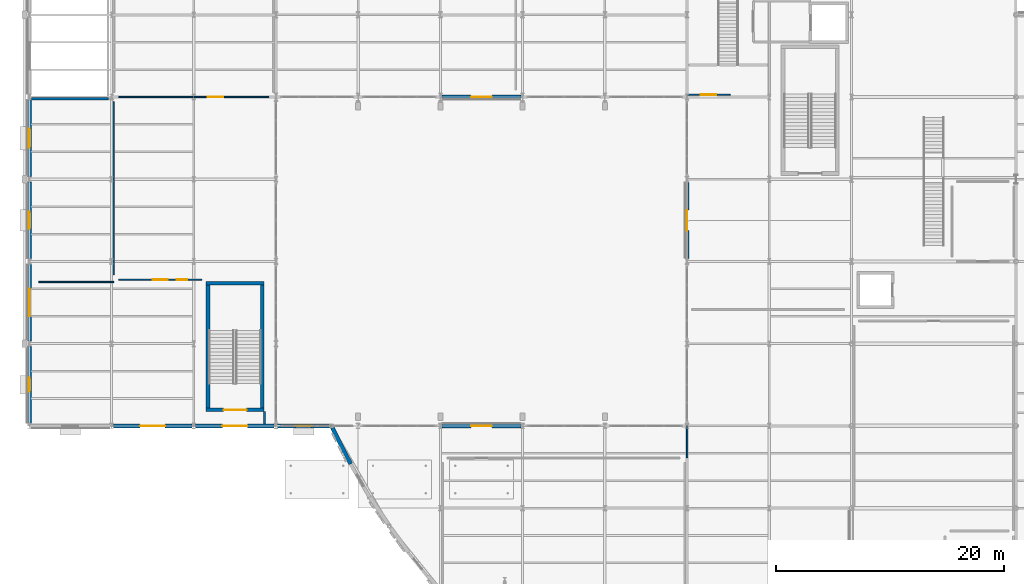
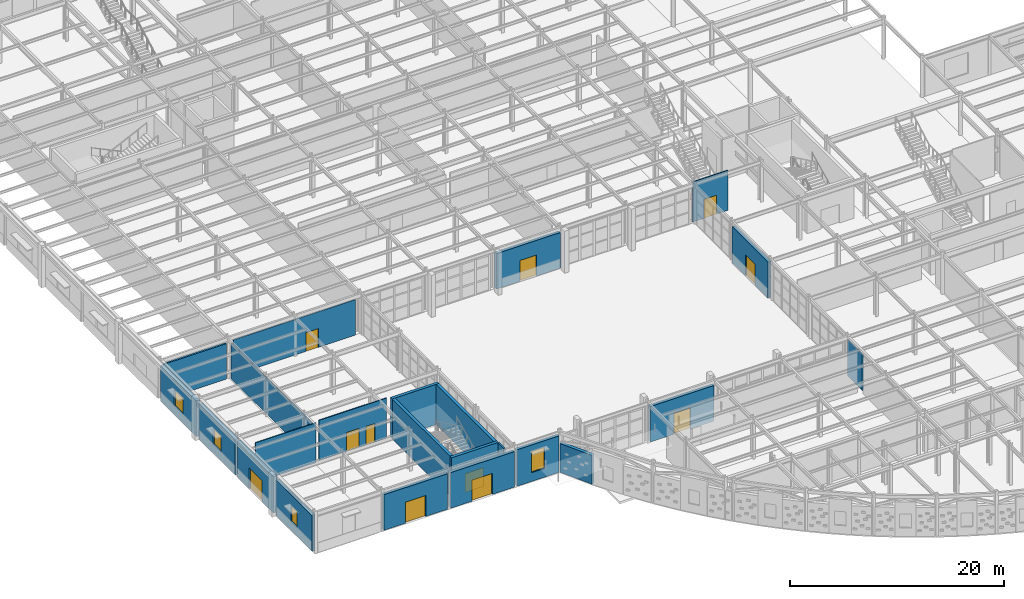
# One storey, part 56 of 83: 23 walls, 11 doors, 4 windows, 15 openings.
"""IFC4 building model written with IfcOpenShell, lengths in metres."""

from ifc_helpers import new_model, si_unit, direction, frame, frame_2d, origin, place, context, subcontext, project, spatial, rectangle, extrude, material, layer, layer_set, type_object, element, fill, save


model = new_model("IFC4")

# Units and contexts
model_context = context("Model", 3, precision=1e-05, world=origin(), true_north=direction((0.0, 1.0)))
body_context = subcontext(model_context, "Body", "Model", "MODEL_VIEW")
ifc_project = project(units=[si_unit("LENGTHUNIT", "METRE"), si_unit("AREAUNIT", "SQUARE_METRE"), si_unit("VOLUMEUNIT", "CUBIC_METRE"), si_unit("PLANEANGLEUNIT", "RADIAN"), si_unit("MASSUNIT", "GRAM", prefix="KILO")], contexts=[model_context])

# Site, building, storey
site_placement = place(None, origin())
site = spatial("IfcSite", under=ifc_project, at=site_placement, CompositionType="ELEMENT")
building_placement = place(site_placement, origin())
building = spatial("IfcBuilding", under=site, at=building_placement, Name="Solvadek Multi-Sports Hall", CompositionType="ELEMENT")
storey_placement = place(building_placement, origin())
storey = spatial("IfcBuildingStorey", under=building, at=storey_placement, Name="L00", CompositionType="ELEMENT", Elevation=0.0)

# Wall
ifc_material_1 = material(Name="Fired Deccan terracotta brick masonry", Category="masonry")
ifc_layer_1 = layer(ifc_material_1, 0.35009765625, Name="Fired Deccan terracotta brick masonry")
ifc_layer_set_1 = layer_set([ifc_layer_1], Name="Fired Deccan terracotta brick masonry")
wall_type_1 = type_object("IfcWallType", Name="ENV-WAL-EXT350", PredefinedType="SOLIDWALL", material=ifc_layer_set_1)
wall_1_placement = place(storey_placement, frame((26.524169921875, 20.262451171875, 0.0), z_axis=(0.0, 0.0, 1.0), x_axis=(0.451570618996, -0.892235381533, 0.0)))
element("IfcWall", 1, at=wall_1_placement, inside=storey, type_object=wall_type_1, Name="L00 Crescent Terracotta Brick Base Wall #72", PredefinedType="SOLIDWALL", context=body_context, shape_type="SweptSolid", body=[
    extrude(rectangle(XDim=3.581787109375, YDim=0.35009765625, at=frame_2d((1.791015625, 0.0))), origin(), (0.0, 0.0, 1.0), 3.300048828125),
])

# Wall, opening, window
wall_2_placement = place(storey_placement, frame((0.0, 20.62890625, 0.0), z_axis=(0.0, 0.0, 1.0), x_axis=(0.0, 1.0, 0.0)))
wall_2 = element("IfcWall", 2, at=wall_2_placement, inside=storey, type_object=wall_type_1, Name="L00 Exterior Masonry Wall #129", PredefinedType="SOLIDWALL", context=body_context, shape_type="SweptSolid", body=[
    extrude(rectangle(XDim=6.7421875, YDim=0.35009765625, at=frame_2d((3.37109375, 0.0))), origin(), (0.0, 0.0, 1.0), 4.06494140625),
])
opening_1_placement = place(wall_2_placement, frame((2.77099609375, 0.0, 1.0)))
opening_1 = element("IfcOpeningElement", 3, at=opening_1_placement, cuts=wall_2, Name="Opening WN-01", PredefinedType="OPENING", context=body_context, shape_type="SweptSolid", body=[
    extrude(rectangle(XDim=1.199951171875, YDim=1.800048828125, at=frame_2d((0.60009765625, 0.89990234375))), frame((0.0, 0.18505859375, 0.0), z_axis=(0.0, -1.0, 0.0), x_axis=(1.0, 0.0, 0.0)), (0.0, 0.0, 1.0), 0.3701171875),
])
ifc_material_2 = material(Name="Tempered laminated low-E glass", Category="glass")
window_type_1 = type_object("IfcWindowType", Name="ENV-WIN-WN-01", PartitioningType="SINGLE_PANEL", PredefinedType="WINDOW", material=ifc_material_2)
window_1_placement = place(opening_1_placement, origin())
window_1 = element("IfcWindow", 4, at=window_1_placement, inside=storey, type_object=window_type_1, Name="L00 Facade Window WN-01 #20", OverallHeight=1.800048828125, OverallWidth=1.199951171875, PartitioningType="SINGLE_PANEL", PredefinedType="WINDOW", context=body_context, shape_type="SweptSolid", body=[
    extrude(rectangle(XDim=1.199951171875, YDim=1.800048828125, at=frame_2d((0.60009765625, 0.89990234375))), frame((0.0, 0.030029296875, 0.0), z_axis=(0.0, -1.0, 0.0), x_axis=(1.0, 0.0, 0.0)), (0.0, 0.0, 1.0), 0.06005859375),
])
fill(opening_1, window_1)

# Wall, opening, door
wall_3_placement = place(storey_placement, frame((0.0, 27.8291015625, 0.0), z_axis=(0.0, 0.0, 1.0), x_axis=(0.0, 1.0, 0.0)))
wall_3 = element("IfcWall", 5, at=wall_3_placement, inside=storey, type_object=wall_type_1, Name="L00 Exterior Masonry Wall #132", PredefinedType="SOLIDWALL", context=body_context, shape_type="SweptSolid", body=[
    extrude(rectangle(XDim=6.741943359375, YDim=0.35009765625, at=frame_2d((3.37109375, 0.0))), origin(), (0.0, 0.0, 1.0), 4.1650390625),
])
opening_2_placement = place(wall_3_placement, frame((2.1708984375, 0.0, 0.0)))
opening_2 = element("IfcOpeningElement", 6, at=opening_2_placement, cuts=wall_3, Name="Opening D-EX01", PredefinedType="OPENING", context=body_context, shape_type="SweptSolid", body=[
    extrude(rectangle(XDim=2.39990234375, YDim=2.39990234375, at=frame_2d((1.199951171875, 1.199951171875))), frame((0.0, 0.18505859375, 0.0), z_axis=(0.0, -1.0, 0.0), x_axis=(1.0, 0.0, 0.0)), (0.0, 0.0, 1.0), 0.3701171875),
])
ifc_material_3 = material(Name="Anodised aluminium", Category="aluminium")
door_type_1 = type_object("IfcDoorType", Name="ENV-DOR-EX240X240", OperationType="DOUBLE_DOOR_SINGLE_SWING", PredefinedType="DOOR", material=ifc_material_3)
door_1_placement = place(opening_2_placement, origin())
door_1 = element("IfcDoor", 7, at=door_1_placement, inside=storey, type_object=door_type_1, Name="West Arcade Final Exit Door D-EX01", OperationType="DOUBLE_DOOR_SINGLE_SWING", OverallHeight=2.39990234375, OverallWidth=2.39990234375, PredefinedType="DOOR", context=body_context, shape_type="SweptSolid", body=[
    extrude(rectangle(XDim=2.39990234375, YDim=2.39990234375, at=frame_2d((1.199951171875, 1.199951171875))), frame((0.0, 0.02490234375, 0.0), z_axis=(0.0, -1.0, 0.0), x_axis=(1.0, 0.0, 0.0)), (0.0, 0.0, 1.0), 0.050048828125),
])
fill(opening_2, door_1)

# Wall, opening, window
wall_4_placement = place(storey_placement, frame((0.0, 35.029052734375, 0.0), z_axis=(0.0, 0.0, 1.0), x_axis=(0.0, 1.0, 0.0)))
wall_4 = element("IfcWall", 8, at=wall_4_placement, inside=storey, type_object=wall_type_1, Name="L00 Exterior Masonry Wall #135", PredefinedType="SOLIDWALL", context=body_context, shape_type="SweptSolid", body=[
    extrude(rectangle(XDim=6.741943359375, YDim=0.35009765625, at=frame_2d((3.37109375, 0.0))), origin(), (0.0, 0.0, 1.0), 4.06494140625),
])
opening_3_placement = place(wall_4_placement, frame((2.62109375, 0.0, 1.0)))
opening_3 = element("IfcOpeningElement", 9, at=opening_3_placement, cuts=wall_4, Name="Opening WN-03", PredefinedType="OPENING", context=body_context, shape_type="SweptSolid", body=[
    extrude(rectangle(XDim=1.5, YDim=1.800048828125, at=frame_2d((0.75, 0.89990234375))), frame((0.0, 0.18505859375, 0.0), z_axis=(0.0, -1.0, 0.0), x_axis=(1.0, 0.0, 0.0)), (0.0, 0.0, 1.0), 0.3701171875),
])
window_type_2 = type_object("IfcWindowType", Name="ENV-WIN-WN-03", PartitioningType="SINGLE_PANEL", PredefinedType="WINDOW", material=ifc_material_2)
window_2_placement = place(opening_3_placement, origin())
window_2 = element("IfcWindow", 10, at=window_2_placement, inside=storey, type_object=window_type_2, Name="L00 Facade Window WN-03 #25", OverallHeight=1.800048828125, OverallWidth=1.5, PartitioningType="SINGLE_PANEL", PredefinedType="WINDOW", context=body_context, shape_type="SweptSolid", body=[
    extrude(rectangle(XDim=1.5, YDim=1.800048828125, at=frame_2d((0.75, 0.89990234375))), frame((0.0, 0.030029296875, 0.0), z_axis=(0.0, -1.0, 0.0), x_axis=(1.0, 0.0, 0.0)), (0.0, 0.0, 1.0), 0.06005859375),
])
fill(opening_3, window_2)

wall_5_placement = place(storey_placement, frame((0.0, 42.22900390625, 0.0), z_axis=(0.0, 0.0, 1.0), x_axis=(0.0, 1.0, 0.0)))
wall_5 = element("IfcWall", 11, at=wall_5_placement, inside=storey, type_object=wall_type_1, Name="L00 Exterior Masonry Wall #138", PredefinedType="SOLIDWALL", context=body_context, shape_type="SweptSolid", body=[
    extrude(rectangle(XDim=6.741943359375, YDim=0.35009765625, at=frame_2d((3.37109375, 0.0))), origin(), (0.0, 0.0, 1.0), 4.06494140625),
])
opening_4_placement = place(wall_5_placement, frame((2.5458984375, 0.0, 1.0)))
opening_4 = element("IfcOpeningElement", 12, at=opening_4_placement, cuts=wall_5, Name="Opening WN-04", PredefinedType="OPENING", context=body_context, shape_type="SweptSolid", body=[
    extrude(rectangle(XDim=1.64990234375, YDim=1.800048828125, at=frame_2d((0.824951171875, 0.89990234375))), frame((0.0, 0.18505859375, 0.0), z_axis=(0.0, -1.0, 0.0), x_axis=(1.0, 0.0, 0.0)), (0.0, 0.0, 1.0), 0.3701171875),
])
window_type_3 = type_object("IfcWindowType", Name="ENV-WIN-WN-04", PartitioningType="SINGLE_PANEL", PredefinedType="WINDOW", material=ifc_material_2)
window_3_placement = place(opening_4_placement, origin())
window_3 = element("IfcWindow", 13, at=window_3_placement, inside=storey, type_object=window_type_3, Name="L00 Facade Window WN-04 #28", OverallHeight=1.800048828125, OverallWidth=1.64990234375, PartitioningType="SINGLE_PANEL", PredefinedType="WINDOW", context=body_context, shape_type="SweptSolid", body=[
    extrude(rectangle(XDim=1.64990234375, YDim=1.800048828125, at=frame_2d((0.824951171875, 0.89990234375))), frame((0.0, 0.030029296875, 0.0), z_axis=(0.0, -1.0, 0.0), x_axis=(1.0, 0.0, 0.0)), (0.0, 0.0, 1.0), 0.06005859375),
])
fill(opening_4, window_3)

# Wall, opening, door
wall_6_placement = place(storey_placement, frame((7.35400390625, 20.39990234375, 0.0), z_axis=(0.0, 0.0, 1.0), x_axis=(1.0, 0.0, 0.0)))
wall_6 = element("IfcWall", 14, at=wall_6_placement, inside=storey, type_object=wall_type_1, Name="L00 Exterior Masonry Wall #202", PredefinedType="SOLIDWALL", context=body_context, shape_type="SweptSolid", body=[
    extrude(rectangle(XDim=6.89208984375, YDim=0.35009765625, at=frame_2d((3.446044921875, 0.0))), origin(), (0.0, 0.0, 1.0), 4.06494140625),
])
opening_5_placement = place(wall_6_placement, frame((2.345947265625, 0.0, 0.0)))
opening_5 = element("IfcOpeningElement", 15, at=opening_5_placement, cuts=wall_6, Name="Opening D-EX08", PredefinedType="OPENING", context=body_context, shape_type="SweptSolid", body=[
    extrude(rectangle(XDim=2.199951171875, YDim=2.39990234375, at=frame_2d((1.10009765625, 1.199951171875))), frame((0.0, 0.18505859375, 0.0), z_axis=(0.0, -1.0, 0.0), x_axis=(1.0, 0.0, 0.0)), (0.0, 0.0, 1.0), 0.3701171875),
])
door_type_2 = type_object("IfcDoorType", Name="ENV-DOR-EX220X240", OperationType="DOUBLE_DOOR_SINGLE_SWING", PredefinedType="DOOR", material=ifc_material_3)
door_2_placement = place(opening_5_placement, frame((2.199951171875, 0.0, 0.0), z_axis=(0.0, 0.0, 1.0), x_axis=(-1.0, 0.0, 0.0)))
door_2 = element("IfcDoor", 16, at=door_2_placement, inside=storey, type_object=door_type_2, Name="West Forecourt Final Exit Door D-EX08", OperationType="DOUBLE_DOOR_SINGLE_SWING", OverallHeight=2.39990234375, OverallWidth=2.199951171875, PredefinedType="DOOR", context=body_context, shape_type="SweptSolid", body=[
    extrude(rectangle(XDim=2.199951171875, YDim=2.39990234375, at=frame_2d((1.10009765625, 1.199951171875))), frame((0.0, 0.02490234375, 0.0), z_axis=(0.0, -1.0, 0.0), x_axis=(1.0, 0.0, 0.0)), (0.0, 0.0, 1.0), 0.050048828125),
])
fill(opening_5, door_2)

wall_7_placement = place(storey_placement, frame((14.553955078125, 20.39990234375, 0.0), z_axis=(0.0, 0.0, 1.0), x_axis=(1.0, 0.0, 0.0)))
wall_7 = element("IfcWall", 17, at=wall_7_placement, inside=storey, type_object=wall_type_1, Name="L00 Exterior Masonry Wall #205", PredefinedType="SOLIDWALL", context=body_context, shape_type="SweptSolid", body=[
    extrude(rectangle(XDim=6.89208984375, YDim=0.35009765625, at=frame_2d((3.446044921875, 0.0))), origin(), (0.0, 0.0, 1.0), 4.06494140625),
])
opening_6_placement = place(wall_7_placement, frame((2.345947265625, 0.0, 0.0)))
opening_6 = element("IfcOpeningElement", 18, at=opening_6_placement, cuts=wall_7, Name="Opening D-EX09", PredefinedType="OPENING", context=body_context, shape_type="SweptSolid", body=[
    extrude(rectangle(XDim=2.199951171875, YDim=2.39990234375, at=frame_2d((1.10009765625, 1.199951171875))), frame((0.0, 0.18505859375, 0.0), z_axis=(0.0, -1.0, 0.0), x_axis=(1.0, 0.0, 0.0)), (0.0, 0.0, 1.0), 0.3701171875),
])
door_3_placement = place(opening_6_placement, frame((2.199951171875, 0.0, 0.0), z_axis=(0.0, 0.0, 1.0), x_axis=(-1.0, 0.0, 0.0)))
door_3 = element("IfcDoor", 19, at=door_3_placement, inside=storey, type_object=door_type_2, Name="Stair ST-01 Final Exit Door D-EX09", OperationType="DOUBLE_DOOR_SINGLE_SWING", OverallHeight=2.39990234375, OverallWidth=2.199951171875, PredefinedType="DOOR", context=body_context, shape_type="SweptSolid", body=[
    extrude(rectangle(XDim=2.199951171875, YDim=2.39990234375, at=frame_2d((1.10009765625, 1.199951171875))), frame((0.0, 0.02490234375, 0.0), z_axis=(0.0, -1.0, 0.0), x_axis=(1.0, 0.0, 0.0)), (0.0, 0.0, 1.0), 0.050048828125),
])
fill(opening_6, door_3)

# Wall, opening, window
wall_8_placement = place(storey_placement, frame((21.75390625, 20.39990234375, 0.0), z_axis=(0.0, 0.0, 1.0), x_axis=(1.0, 0.0, 0.0)))
wall_8 = element("IfcWall", 20, at=wall_8_placement, inside=storey, type_object=wall_type_1, Name="L00 Exterior Masonry Wall #208", PredefinedType="SOLIDWALL", context=body_context, shape_type="SweptSolid", body=[
    extrude(rectangle(XDim=4.546630859375, YDim=0.35009765625, at=frame_2d((2.2734375, 0.0))), origin(), (0.0, 0.0, 1.0), 4.1650390625),
])
opening_7_placement = place(wall_8_placement, frame((1.5732421875, 0.0, 1.0)))
opening_7 = element("IfcOpeningElement", 21, at=opening_7_placement, cuts=wall_8, Name="Opening WN-16", PredefinedType="OPENING", context=body_context, shape_type="SweptSolid", body=[
    extrude(rectangle(XDim=1.39990234375, YDim=2.39990234375, at=frame_2d((0.699951171875, 1.199951171875))), frame((0.0, 0.18505859375, 0.0), z_axis=(0.0, -1.0, 0.0), x_axis=(1.0, 0.0, 0.0)), (0.0, 0.0, 1.0), 0.3701171875),
])
window_type_4 = type_object("IfcWindowType", Name="ENV-WIN-WN-16", PartitioningType="SINGLE_PANEL", PredefinedType="WINDOW", material=ifc_material_2)
window_4_placement = place(opening_7_placement, origin())
window_4 = element("IfcWindow", 22, at=window_4_placement, inside=storey, type_object=window_type_4, Name="L00 Facade Window WN-16 #85", OverallHeight=2.39990234375, OverallWidth=1.39990234375, PartitioningType="SINGLE_PANEL", PredefinedType="WINDOW", context=body_context, shape_type="SweptSolid", body=[
    extrude(rectangle(XDim=1.39990234375, YDim=2.39990234375, at=frame_2d((0.699951171875, 1.199951171875))), frame((0.0, 0.030029296875, 0.0), z_axis=(0.0, -1.0, 0.0), x_axis=(1.0, 0.0, 0.0)), (0.0, 0.0, 1.0), 0.06005859375),
])
fill(opening_7, window_4)

# Wall, opening, door
wall_9_placement = place(storey_placement, frame((36.154052734375, 20.39990234375, 0.0), z_axis=(0.0, 0.0, 1.0), x_axis=(1.0, 0.0, 0.0)))
wall_9 = element("IfcWall", 23, at=wall_9_placement, inside=storey, type_object=wall_type_1, Name="L00 Exterior Masonry Wall #285", PredefinedType="SOLIDWALL", context=body_context, shape_type="SweptSolid", body=[
    extrude(rectangle(XDim=6.891845703125, YDim=0.35009765625, at=frame_2d((3.44580078125, 0.0))), origin(), (0.0, 0.0, 1.0), 4.06494140625),
])
opening_8_placement = place(wall_9_placement, frame((2.5458984375, 0.0, 0.0)))
opening_8 = element("IfcOpeningElement", 24, at=opening_8_placement, cuts=wall_9, Name="Opening D-CTY", PredefinedType="OPENING", context=body_context, shape_type="SweptSolid", body=[
    extrude(rectangle(XDim=1.800048828125, YDim=2.39990234375, at=frame_2d((0.89990234375, 1.199951171875))), frame((0.0, 0.18505859375, 0.0), z_axis=(0.0, -1.0, 0.0), x_axis=(1.0, 0.0, 0.0)), (0.0, 0.0, 1.0), 0.3701171875),
])
door_type_3 = type_object("IfcDoorType", Name="ENV-DOR-CTY180X240", OperationType="DOUBLE_DOOR_SINGLE_SWING", PredefinedType="DOOR", material=ifc_material_3)
door_4_placement = place(opening_8_placement, origin())
door_4 = element("IfcDoor", 25, at=door_4_placement, inside=storey, type_object=door_type_3, Name="Courtyard Revak Double Door", OperationType="DOUBLE_DOOR_SINGLE_SWING", OverallHeight=2.39990234375, OverallWidth=1.800048828125, PredefinedType="DOOR", context=body_context, shape_type="SweptSolid", body=[
    extrude(rectangle(XDim=1.800048828125, YDim=2.39990234375, at=frame_2d((0.89990234375, 1.199951171875))), frame((0.0, 0.02490234375, 0.0), z_axis=(0.0, -1.0, 0.0), x_axis=(1.0, 0.0, 0.0)), (0.0, 0.0, 1.0), 0.050048828125),
])
fill(opening_8, door_4)

wall_10_placement = place(storey_placement, frame((36.154052734375, 49.199951171875, 0.0), z_axis=(0.0, 0.0, 1.0), x_axis=(1.0, 0.0, 0.0)))
wall_10 = element("IfcWall", 26, at=wall_10_placement, inside=storey, type_object=wall_type_1, Name="L00 Exterior Masonry Wall #286", PredefinedType="SOLIDWALL", context=body_context, shape_type="SweptSolid", body=[
    extrude(rectangle(XDim=6.891845703125, YDim=0.35009765625, at=frame_2d((3.44580078125, 0.0))), origin(), (0.0, 0.0, 1.0), 4.06494140625),
])
opening_9_placement = place(wall_10_placement, frame((2.5458984375, 0.0, 0.0)))
opening_9 = element("IfcOpeningElement", 27, at=opening_9_placement, cuts=wall_10, Name="Opening D-CTY", PredefinedType="OPENING", context=body_context, shape_type="SweptSolid", body=[
    extrude(rectangle(XDim=1.800048828125, YDim=2.39990234375, at=frame_2d((0.89990234375, 1.199951171875))), frame((0.0, 0.18505859375, 0.0), z_axis=(0.0, -1.0, 0.0), x_axis=(1.0, 0.0, 0.0)), (0.0, 0.0, 1.0), 0.3701171875),
])
door_5_placement = place(opening_9_placement, frame((1.800048828125, 0.0, 0.0), z_axis=(0.0, 0.0, 1.0), x_axis=(-1.0, 0.0, 0.0)))
door_5 = element("IfcDoor", 28, at=door_5_placement, inside=storey, type_object=door_type_3, Name="Courtyard Revak Double Door", OperationType="DOUBLE_DOOR_SINGLE_SWING", OverallHeight=2.39990234375, OverallWidth=1.800048828125, PredefinedType="DOOR", context=body_context, shape_type="SweptSolid", body=[
    extrude(rectangle(XDim=1.800048828125, YDim=2.39990234375, at=frame_2d((0.89990234375, 1.199951171875))), frame((0.0, 0.02490234375, 0.0), z_axis=(0.0, -1.0, 0.0), x_axis=(1.0, 0.0, 0.0)), (0.0, 0.0, 1.0), 0.050048828125),
])
fill(opening_9, door_5)

wall_11_placement = place(storey_placement, frame((57.60009765625, 35.053955078125, 0.0), z_axis=(0.0, 0.0, 1.0), x_axis=(0.0, 1.0, 0.0)))
wall_11 = element("IfcWall", 29, at=wall_11_placement, inside=storey, type_object=wall_type_1, Name="L00 Exterior Masonry Wall #287", PredefinedType="SOLIDWALL", context=body_context, shape_type="SweptSolid", body=[
    extrude(rectangle(XDim=6.692138671875, YDim=0.35009765625, at=frame_2d((3.34619140625, 0.0))), origin(), (0.0, 0.0, 1.0), 4.114990234375),
])
opening_10_placement = place(wall_11_placement, frame((2.446044921875, 0.0, 0.0)))
opening_10 = element("IfcOpeningElement", 30, at=opening_10_placement, cuts=wall_11, Name="Opening D-CTY", PredefinedType="OPENING", context=body_context, shape_type="SweptSolid", body=[
    extrude(rectangle(XDim=1.800048828125, YDim=2.39990234375, at=frame_2d((0.89990234375, 1.199951171875))), frame((0.0, 0.18505859375, 0.0), z_axis=(0.0, -1.0, 0.0), x_axis=(1.0, 0.0, 0.0)), (0.0, 0.0, 1.0), 0.3701171875),
])
door_6_placement = place(opening_10_placement, origin())
door_6 = element("IfcDoor", 31, at=door_6_placement, inside=storey, type_object=door_type_3, Name="Courtyard Revak Double Door", OperationType="DOUBLE_DOOR_SINGLE_SWING", OverallHeight=2.39990234375, OverallWidth=1.800048828125, PredefinedType="DOOR", context=body_context, shape_type="SweptSolid", body=[
    extrude(rectangle(XDim=1.800048828125, YDim=2.39990234375, at=frame_2d((0.89990234375, 1.199951171875))), frame((0.0, 0.02490234375, 0.0), z_axis=(0.0, -1.0, 0.0), x_axis=(1.0, 0.0, 0.0)), (0.0, 0.0, 1.0), 0.050048828125),
])
fill(opening_10, door_6)

# Wall, openings, doors
ifc_material_4 = material(Name="Autoclaved aerated concrete blockwork", Category="masonry")
ifc_layer_2 = layer(ifc_material_4, 0.10498046875, Name="Autoclaved aerated concrete blockwork")
ifc_layer_set_2 = layer_set([ifc_layer_2], Name="Autoclaved aerated concrete blockwork")
wall_type_2 = type_object("IfcWallType", Name="INT-WAL-PRT105", PredefinedType="PARTITIONING", material=ifc_layer_set_2)
wall_12_placement = place(storey_placement, frame((7.820068359375, 33.199951171875, 0.0), z_axis=(0.0, 0.0, 1.0), x_axis=(1.0, 0.0, 0.0)))
wall_12 = element("IfcWall", 32, at=wall_12_placement, inside=storey, type_object=wall_type_2, Name="L00 Partition Wall L00-14 S", PredefinedType="PARTITIONING", context=body_context, shape_type="SweptSolid", body=[
    extrude(rectangle(XDim=7.29541015625, YDim=0.10498046875, at=frame_2d((3.647705078125, 0.0))), origin(), (0.0, 0.0, 1.0), 4.56494140625),
])
opening_11_placement = place(wall_12_placement, frame((2.972900390625, 0.0, 0.0)))
opening_11 = element("IfcOpeningElement", 33, at=opening_11_placement, cuts=wall_12, Name="Opening D-03", PredefinedType="OPENING", context=body_context, shape_type="SweptSolid", body=[
    extrude(rectangle(XDim=1.35009765625, YDim=2.14990234375, at=frame_2d((0.675048828125, 1.074951171875))), frame((0.0, 0.0625, 0.0), z_axis=(0.0, -1.0, 0.0), x_axis=(1.0, 0.0, 0.0)), (0.0, 0.0, 1.0), 0.125),
])
opening_12_placement = place(wall_12_placement, frame((5.07275390625, 0.0, 0.0)))
opening_12 = element("IfcOpeningElement", 34, at=opening_12_placement, cuts=wall_12, Name="Opening D-02", PredefinedType="OPENING", context=body_context, shape_type="SweptSolid", body=[
    extrude(rectangle(XDim=0.949951171875, YDim=2.10009765625, at=frame_2d((0.47509765625, 1.050048828125))), frame((0.0, 0.0625, 0.0), z_axis=(0.0, -1.0, 0.0), x_axis=(1.0, 0.0, 0.0)), (0.0, 0.0, 1.0), 0.125),
])
ifc_material_5 = material(Name="Teak hardwood timber", Category="wood")
door_type_4 = type_object("IfcDoorType", Name="INT-DOR-CHG135X215", OperationType="NOTDEFINED", PredefinedType="DOOR", material=ifc_material_5)
door_7_placement = place(opening_11_placement, origin())
door_7 = element("IfcDoor", 35, at=door_7_placement, inside=storey, type_object=door_type_4, Name="L00 L00-14 Door #29", OperationType="SINGLE_SWING_RIGHT", OverallHeight=2.14990234375, OverallWidth=1.35009765625, PredefinedType="DOOR", context=body_context, shape_type="SweptSolid", body=[
    extrude(rectangle(XDim=1.35009765625, YDim=2.14990234375, at=frame_2d((0.675048828125, 1.074951171875))), frame((0.0, 0.02490234375, 0.0), z_axis=(0.0, -1.0, 0.0), x_axis=(1.0, 0.0, 0.0)), (0.0, 0.0, 1.0), 0.050048828125),
])
fill(opening_11, door_7)
door_type_5 = type_object("IfcDoorType", Name="INT-DOR-RM095X210", OperationType="NOTDEFINED", PredefinedType="DOOR", material=ifc_material_5)
door_8_placement = place(opening_12_placement, frame((0.949951171875, 0.0, 0.0), z_axis=(0.0, 0.0, 1.0), x_axis=(-1.0, 0.0, 0.0)))
door_8 = element("IfcDoor", 36, at=door_8_placement, inside=storey, type_object=door_type_5, Name="L00 L00-21 Door #35", OperationType="SINGLE_SWING_RIGHT", OverallHeight=2.10009765625, OverallWidth=0.949951171875, PredefinedType="DOOR", context=body_context, shape_type="SweptSolid", body=[
    extrude(rectangle(XDim=0.949951171875, YDim=2.10009765625, at=frame_2d((0.47509765625, 1.050048828125))), frame((0.0, 0.02490234375, 0.0), z_axis=(0.0, -1.0, 0.0), x_axis=(1.0, 0.0, 0.0)), (0.0, 0.0, 1.0), 0.050048828125),
])
fill(opening_12, door_8)

# Wall, opening, door
wall_13_placement = place(storey_placement, frame((7.820068359375, 49.199951171875, 0.0), z_axis=(0.0, 0.0, 1.0), x_axis=(1.0, 0.0, 0.0)))
wall_13 = element("IfcWall", 37, at=wall_13_placement, inside=storey, type_object=wall_type_2, Name="L00 Partition Wall L00-14 N", PredefinedType="PARTITIONING", context=body_context, shape_type="SweptSolid", body=[
    extrude(rectangle(XDim=13.159912109375, YDim=0.10498046875, at=frame_2d((6.580078125, 0.0))), origin(), (0.0, 0.0, 1.0), 4.06005859375),
])
opening_13_placement = place(wall_13_placement, frame((7.804931640625, 0.0, 0.0)))
opening_13 = element("IfcOpeningElement", 38, at=opening_13_placement, cuts=wall_13, Name="Opening D-03", PredefinedType="OPENING", context=body_context, shape_type="SweptSolid", body=[
    extrude(rectangle(XDim=1.35009765625, YDim=2.14990234375, at=frame_2d((0.675048828125, 1.074951171875))), frame((0.0, 0.0625, 0.0), z_axis=(0.0, -1.0, 0.0), x_axis=(1.0, 0.0, 0.0)), (0.0, 0.0, 1.0), 0.125),
])
door_9_placement = place(opening_13_placement, origin())
door_9 = element("IfcDoor", 39, at=door_9_placement, inside=storey, type_object=door_type_4, Name="L00 L00-15 Door #30", OperationType="SINGLE_SWING_LEFT", OverallHeight=2.14990234375, OverallWidth=1.35009765625, PredefinedType="DOOR", context=body_context, shape_type="SweptSolid", body=[
    extrude(rectangle(XDim=1.35009765625, YDim=2.14990234375, at=frame_2d((0.675048828125, 1.074951171875))), frame((0.0, 0.02490234375, 0.0), z_axis=(0.0, -1.0, 0.0), x_axis=(1.0, 0.0, 0.0)), (0.0, 0.0, 1.0), 0.050048828125),
])
fill(opening_13, door_9)

# Wall
wall_14_placement = place(storey_placement, frame((7.39990234375, 33.6201171875, 0.0), z_axis=(0.0, 0.0, 1.0), x_axis=(0.0, 1.0, 0.0)))
element("IfcWall", 40, at=wall_14_placement, inside=storey, type_object=wall_type_2, Name="L00 Partition Wall L00-14 W", PredefinedType="PARTITIONING", context=body_context, shape_type="SweptSolid", body=[
    extrude(rectangle(XDim=15.159912109375, YDim=0.10498046875, at=frame_2d((7.580078125, 0.0))), origin(), (0.0, 0.0, 1.0), 4.110107421875),
])

# Wall, opening, door
wall_15_placement = place(storey_placement, frame((57.5556640625, 49.39990234375, 0.0), z_axis=(0.0, 0.0, 1.0), x_axis=(1.0, 0.0, 0.0)))
wall_15 = element("IfcWall", 41, at=wall_15_placement, inside=storey, type_object=wall_type_2, Name="L00 Partition Wall L00-17 S", PredefinedType="PARTITIONING", context=body_context, shape_type="SweptSolid", body=[
    extrude(rectangle(XDim=3.8193359375, YDim=0.10498046875, at=frame_2d((1.90966796875, 0.0))), origin(), (0.0, 0.0, 1.0), 4.56494140625),
])
opening_14_placement = place(wall_15_placement, frame((1.234619140625, 0.0, 0.0)))
opening_14 = element("IfcOpeningElement", 42, at=opening_14_placement, cuts=wall_15, Name="Opening D-03", PredefinedType="OPENING", context=body_context, shape_type="SweptSolid", body=[
    extrude(rectangle(XDim=1.35009765625, YDim=2.14990234375, at=frame_2d((0.675048828125, 1.074951171875))), frame((0.0, 0.0625, 0.0), z_axis=(0.0, -1.0, 0.0), x_axis=(1.0, 0.0, 0.0)), (0.0, 0.0, 1.0), 0.125),
])
door_10_placement = place(opening_14_placement, origin())
door_10 = element("IfcDoor", 43, at=door_10_placement, inside=storey, type_object=door_type_4, Name="L00 L00-17 Door #32", OperationType="SINGLE_SWING_LEFT", OverallHeight=2.14990234375, OverallWidth=1.35009765625, PredefinedType="DOOR", context=body_context, shape_type="SweptSolid", body=[
    extrude(rectangle(XDim=1.35009765625, YDim=2.14990234375, at=frame_2d((0.675048828125, 1.074951171875))), frame((0.0, 0.02490234375, 0.0), z_axis=(0.0, -1.0, 0.0), x_axis=(1.0, 0.0, 0.0)), (0.0, 0.0, 1.0), 0.050048828125),
])
fill(opening_14, door_10)

# Walls
wall_16_placement = place(storey_placement, frame((0.820068359375, 33.0, 0.0), z_axis=(0.0, 0.0, 1.0), x_axis=(1.0, 0.0, 0.0)))
element("IfcWall", 44, at=wall_16_placement, inside=storey, type_object=wall_type_2, Name="L00 Partition Wall L00-21 N", PredefinedType="PARTITIONING", context=body_context, shape_type="SweptSolid", body=[
    extrude(rectangle(XDim=6.564208984375, YDim=0.10498046875, at=frame_2d((3.2822265625, 0.0))), origin(), (0.0, 0.0, 1.0), 4.56494140625),
])
ifc_layer_3 = layer(ifc_material_4, 0.135009765625, Name="Autoclaved aerated concrete blockwork")
ifc_layer_set_3 = layer_set([ifc_layer_3], Name="Autoclaved aerated concrete blockwork")
wall_type_3 = type_object("IfcWallType", Name="INT-WAL-PRT135", PredefinedType="PARTITIONING", material=ifc_layer_set_3)
wall_17_placement = place(storey_placement, frame((57.60009765625, 17.610595703125, 0.0), z_axis=(0.0, 0.0, 1.0), x_axis=(0.0, 1.0, 0.0)))
element("IfcWall", 45, at=wall_17_placement, inside=storey, type_object=wall_type_3, Name="L00 Partition Wall L00-22 W", PredefinedType="PARTITIONING", context=body_context, shape_type="SweptSolid", body=[
    extrude(rectangle(XDim=2.789306640625, YDim=0.135009765625, at=frame_2d((1.39453125, 0.0))), origin(), (0.0, 0.0, 1.0), 4.110107421875),
])
ifc_layer_4 = layer(ifc_material_4, 0.179931640625, Name="Autoclaved aerated concrete blockwork")
ifc_layer_set_4 = layer_set([ifc_layer_4], Name="Autoclaved aerated concrete blockwork")
wall_type_4 = type_object("IfcWallType", Name="INT-WAL-PRT180", PredefinedType="PARTITIONING", material=ifc_layer_set_4)
wall_18_placement = place(storey_placement, frame((0.199951171875, 49.050048828125, 0.0), z_axis=(0.0, 0.0, 1.0), x_axis=(1.0, 0.0, 0.0)))
element("IfcWall", 46, at=wall_18_placement, inside=storey, type_object=wall_type_4, Name="L00 Vehicle Ramp VR-01 Enclosure Wall S", PredefinedType="PARTITIONING", context=body_context, shape_type="SweptSolid", body=[
    extrude(rectangle(XDim=6.75, YDim=0.179931640625, at=frame_2d((3.375, 0.0))), origin(), (0.0, 0.0, 1.0), 4.06005859375),
])
wall_19_placement = place(storey_placement, frame((20.580078125, 20.550048828125, 0.0), z_axis=(0.0, 0.0, 1.0), x_axis=(0.0, 1.0, 0.0)))
element("IfcWall", 47, at=wall_19_placement, inside=storey, type_object=wall_type_4, Name="L00 Protected Exit Discharge Wall st01-dis-n", PredefinedType="PARTITIONING", context=body_context, shape_type="SweptSolid", body=[
    extrude(rectangle(XDim=1.08984375, YDim=0.179931640625, at=frame_2d((0.544921875, 0.0))), origin(), (0.0, 0.0, 1.0), 4.56494140625),
])

# Wall, opening, door
ifc_material_6 = material(Name="Concrete M40", Category="concrete")
ifc_layer_5 = layer(ifc_material_6, 0.320068359375, Name="Concrete M40")
ifc_layer_set_5 = layer_set([ifc_layer_5], Name="Concrete M40")
wall_type_5 = type_object("IfcWallType", Name="INT-WAL-SHR320", PredefinedType="SHEAR", material=ifc_layer_set_5)
wall_20_placement = place(storey_placement, frame((15.489990234375, 21.800048828125, 0.0), z_axis=(0.0, 0.0, 1.0), x_axis=(1.0, 0.0, 0.0)))
wall_20 = element("IfcWall", 48, at=wall_20_placement, inside=storey, type_object=wall_type_5, Name="L00 Stair ST-01 Shear Wall S", PredefinedType="SHEAR", context=body_context, shape_type="SweptSolid", body=[
    extrude(rectangle(XDim=5.070068359375, YDim=0.320068359375, at=frame_2d((2.53515625, 0.0))), origin(), (0.0, 0.0, 1.0), 4.580078125),
])
opening_15_placement = place(wall_20_placement, frame((1.534912109375, 0.0, 0.0)))
opening_15 = element("IfcOpeningElement", 49, at=opening_15_placement, cuts=wall_20, Name="Opening FD120", PredefinedType="OPENING", context=body_context, shape_type="SweptSolid", body=[
    extrude(rectangle(XDim=2.0, YDim=2.14990234375, at=frame_2d((1.0, 1.074951171875))), frame((0.0, 0.169921875, 0.0), z_axis=(0.0, -1.0, 0.0), x_axis=(1.0, 0.0, 0.0)), (0.0, 0.0, 1.0), 0.340087890625),
])
ifc_material_7 = material(Name="Steel E250 (250 MPa)", Category="steel")
door_type_6 = type_object("IfcDoorType", Name="INT-DOR-FD200X215", OperationType="DOUBLE_DOOR_SINGLE_SWING", PredefinedType="DOOR", material=ifc_material_7)
door_11_placement = place(opening_15_placement, origin())
door_11 = element("IfcDoor", 50, at=door_11_placement, inside=storey, type_object=door_type_6, Name="L00 Stair ST-01 Fire Door", OperationType="DOUBLE_DOOR_SINGLE_SWING", OverallHeight=2.14990234375, OverallWidth=2.0, PredefinedType="DOOR", context=body_context, shape_type="SweptSolid", body=[
    extrude(rectangle(XDim=2.0, YDim=2.14990234375, at=frame_2d((1.0, 1.074951171875))), frame((0.0, 0.02490234375, 0.0), z_axis=(0.0, -1.0, 0.0), x_axis=(1.0, 0.0, 0.0)), (0.0, 0.0, 1.0), 0.050048828125),
])
fill(opening_15, door_11)

# Walls
wall_21_placement = place(storey_placement, frame((15.489990234375, 32.89990234375, 0.0), z_axis=(0.0, 0.0, 1.0), x_axis=(1.0, 0.0, 0.0)))
element("IfcWall", 51, at=wall_21_placement, inside=storey, type_object=wall_type_5, Name="L00 Stair ST-01 Shear Wall N", PredefinedType="SHEAR", context=body_context, shape_type="SweptSolid", body=[
    extrude(rectangle(XDim=5.070068359375, YDim=0.320068359375, at=frame_2d((2.53515625, 0.0))), origin(), (0.0, 0.0, 1.0), 4.580078125),
])
for number, where, z_axis, x_axis, name in (
    (52, (15.64990234375, 21.9599609375, 0.0), (0.0, 0.0, 1.0), (0.0, 1.0, 0.0), "L00 Stair ST-01 Shear Wall W"),
    (53, (20.39990234375, 21.9599609375, 0.0), (0.0, 0.0, 1.0), (0.0, 1.0, 0.0), "L00 Stair ST-01 Shear Wall E"),
):
    element("IfcWall", number, at=place(storey_placement, frame(where, z_axis=z_axis, x_axis=x_axis)), inside=storey, type_object=wall_type_5, Name=name, PredefinedType="SHEAR", context=body_context, shape_type="SweptSolid", body=[
        extrude(rectangle(XDim=10.780029296875, YDim=0.320068359375, at=frame_2d((5.39013671875, 0.0))), origin(), (0.0, 0.0, 1.0), 4.580078125),
    ])

save(model, "model.ifc")
